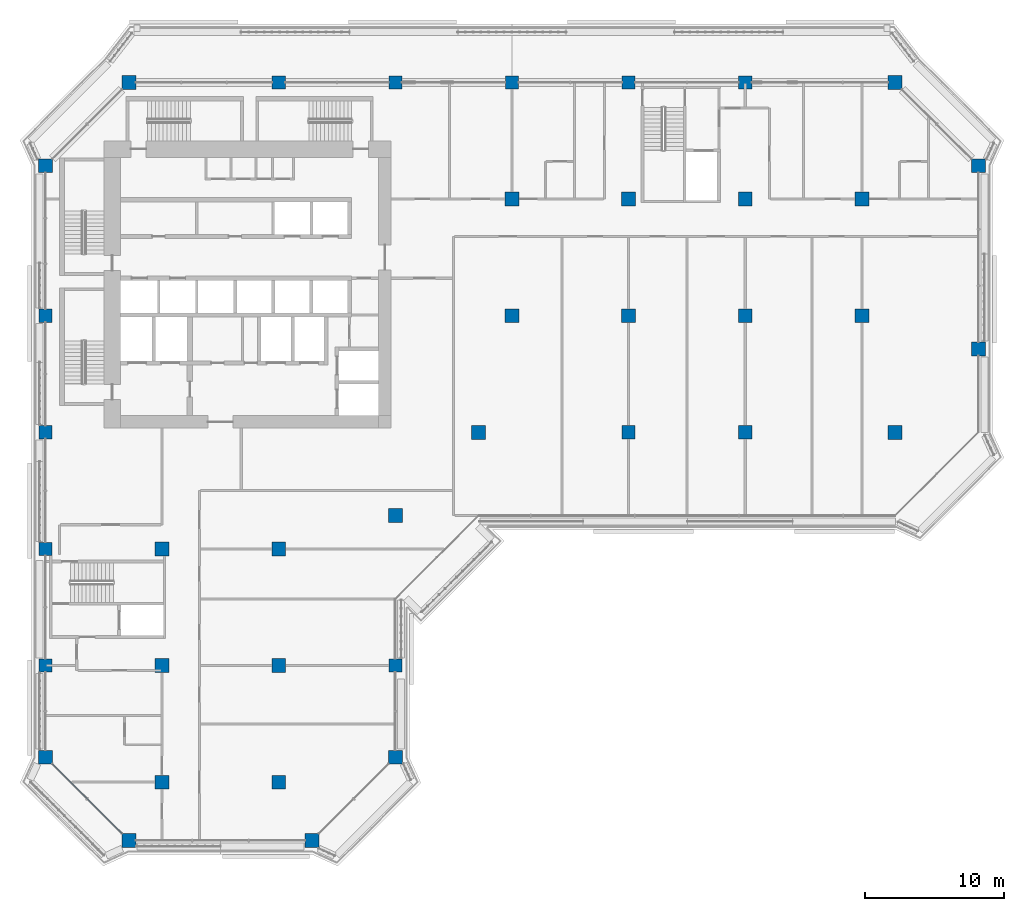
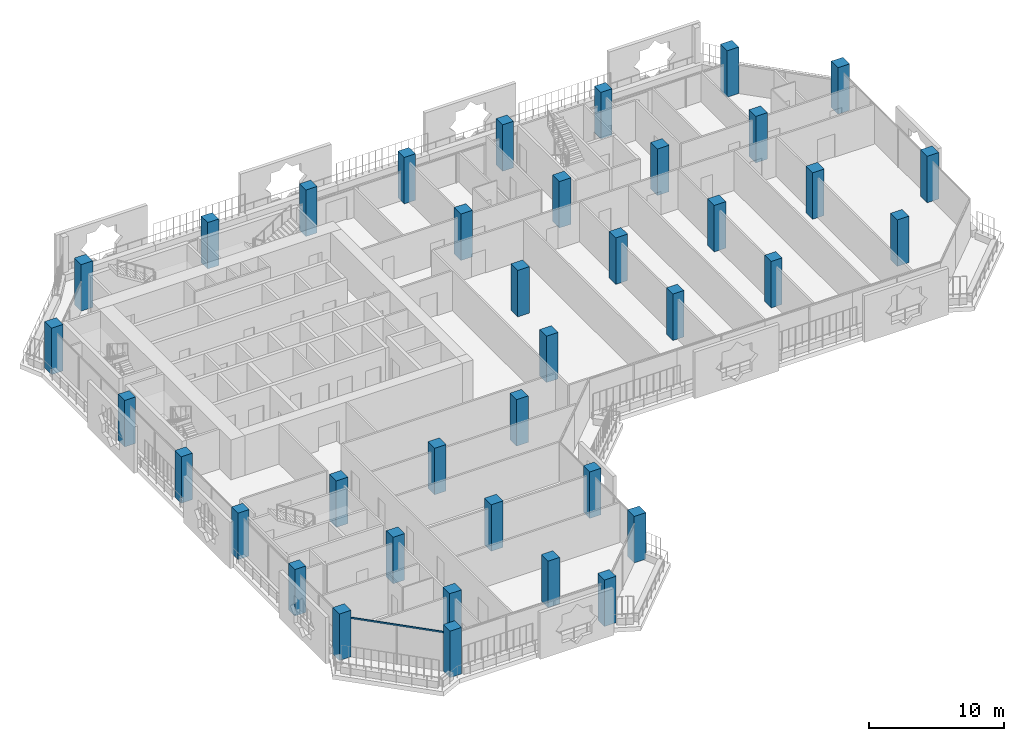
# One storey, part 1 of 21: 38 columns, 1 member, 1 element without a shape of its own.
"""IFC4 building model written with IfcOpenShell, lengths in metres."""

from ifc_helpers import new_model, si_unit, direction, frame, origin, origin_2d, place, context, subcontext, project, spatial, rectangle, extrude, material, layer, layer_set, material_profile, profile_set, type_object, element, aggregate, save


model = new_model("IFC4")

# Units and contexts
model_context = context("Model", 3, precision=1e-05, world=origin(), true_north=direction((0.0, 1.0)))
body_context = subcontext(model_context, "Body", "Model", "MODEL_VIEW")
ifc_project = project(units=[si_unit("LENGTHUNIT", "METRE"), si_unit("AREAUNIT", "SQUARE_METRE"), si_unit("VOLUMEUNIT", "CUBIC_METRE"), si_unit("PLANEANGLEUNIT", "RADIAN"), si_unit("MASSUNIT", "GRAM", prefix="KILO")], contexts=[model_context])

# Site, building, storey
site_placement = place(None, origin())
site = spatial("IfcSite", under=ifc_project, at=site_placement, CompositionType="ELEMENT")
building_placement = place(site_placement, origin())
building = spatial("IfcBuilding", under=site, at=building_placement, Name="Kawkab Arch Medical Tower", CompositionType="ELEMENT")
storey_placement = place(building_placement, frame((0.0, 0.0, 200.39990234375)))
storey = spatial("IfcBuildingStorey", under=building, at=storey_placement, Name="L46", CompositionType="ELEMENT", Elevation=200.39990234375)

# Columns
ifc_material_1 = material(Name="Concrete C50/60", Category="concrete")
ifc_material_profile_1 = material_profile(ifc_material_1, rectangle(XDim=1.0, YDim=1.0, at=origin_2d()), Name="RC 1000x1000")
ifc_profile_set_1 = profile_set([ifc_material_profile_1], Name="Concrete C50/60")
column_type_1 = type_object("IfcColumnType", Name="RC 1000x1000 column C50/60", PredefinedType="COLUMN", material=ifc_profile_set_1)
for number, where, z_axis, x_axis, name in (
    (1, (6.0, 0.0, 0.0), (0.0, 0.0, 1.0), (1.0, 0.0, 0.0), "Column RC 1000x1000"),
    (2, (61.199951171875, 0.0, 0.0), (0.0, 0.0, 1.0), (1.0, 0.0, 0.0), "Column RC 1000x1000"),
    (3, (0.0, -6.0, 0.0), (0.0, 0.0, 1.0), (1.0, 0.0, 0.0), "Column RC 1000x1000"),
    (4, (67.199951171875, -6.0, 0.0), (0.0, 0.0, 1.0), (1.0, 0.0, 0.0), "Column RC 1000x1000"),
    (5, (33.60009765625, -8.39990234375, 0.0), (0.0, 0.0, 1.0), (1.0, 0.0, 0.0), "Column RC 1000x1000"),
    (6, (42.0, -8.39990234375, 0.0), (0.0, 0.0, 1.0), (1.0, 0.0, 0.0), "Column RC 1000x1000"),
    (7, (50.39990234375, -8.39990234375, 0.0), (0.0, 0.0, 1.0), (1.0, 0.0, 0.0), "Column RC 1000x1000"),
    (8, (58.800048828125, -8.39990234375, 0.0), (0.0, 0.0, 1.0), (1.0, 0.0, 0.0), "Column RC 1000x1000"),
    (9, (33.60009765625, -16.800048828125, 0.0), (0.0, 0.0, 1.0), (1.0, 0.0, 0.0), "Column RC 1000x1000"),
    (10, (42.0, -16.800048828125, 0.0), (0.0, 0.0, 1.0), (1.0, 0.0, 0.0), "Column RC 1000x1000"),
    (11, (50.39990234375, -16.800048828125, 0.0), (0.0, 0.0, 1.0), (1.0, 0.0, 0.0), "Column RC 1000x1000"),
    (12, (58.800048828125, -16.800048828125, 0.0), (0.0, 0.0, 1.0), (1.0, 0.0, 0.0), "Column RC 1000x1000"),
    (13, (67.199951171875, -19.199951171875, 0.0), (0.0, 0.0, 1.0), (1.0, 0.0, 0.0), "Column RC 1000x1000"),
    (14, (31.199951171875, -25.199951171875, 0.0), (0.0, 0.0, 1.0), (1.0, 0.0, 0.0), "Column RC 1000x1000"),
    (15, (61.199951171875, -25.199951171875, 0.0), (0.0, 0.0, 1.0), (1.0, 0.0, 0.0), "Column RC 1000x1000"),
    (16, (25.199951171875, -31.199951171875, 0.0), (0.0, 0.0, 1.0), (1.0, 0.0, 0.0), "Column RC 1000x1000"),
    (17, (8.39990234375, -33.60009765625, 0.0), (0.0, 0.0, 1.0), (1.0, 0.0, 0.0), "Column RC 1000x1000"),
    (18, (16.800048828125, -33.60009765625, 0.0), (0.0, 0.0, 1.0), (1.0, 0.0, 0.0), "Column RC 1000x1000"),
    (19, (8.39990234375, -42.0, 0.0), (0.0, 0.0, 1.0), (1.0, 0.0, 0.0), "Column RC 1000x1000"),
    (20, (16.800048828125, -42.0, 0.0), (0.0, 0.0, 1.0), (1.0, 0.0, 0.0), "Column RC 1000x1000"),
    (21, (0.0, -48.60009765625, 0.0), (0.0, 0.0, 1.0), (1.0, 0.0, 0.0), "Column RC 1000x1000"),
    (22, (25.199951171875, -48.60009765625, 0.0), (0.0, 0.0, 1.0), (1.0, 0.0, 0.0), "Column RC 1000x1000"),
    (23, (8.39990234375, -50.39990234375, 0.0), (0.0, 0.0, 1.0), (1.0, 0.0, 0.0), "Column RC 1000x1000"),
    (24, (16.800048828125, -50.39990234375, 0.0), (0.0, 0.0, 1.0), (1.0, 0.0, 0.0), "Column RC 1000x1000"),
    (25, (6.0, -54.60009765625, 0.0), (0.0, 0.0, 1.0), (1.0, 0.0, 0.0), "Column RC 1000x1000"),
    (26, (19.199951171875, -54.60009765625, 0.0), (0.0, 0.0, 1.0), (1.0, 0.0, 0.0), "Column RC 1000x1000"),
):
    element("IfcColumn", number, at=place(storey_placement, frame(where, z_axis=z_axis, x_axis=x_axis)), inside=storey, type_object=column_type_1, Name=name, PredefinedType="COLUMN", context=body_context, shape_type="SweptSolid", body=[
        extrude(rectangle(XDim=1.0, YDim=1.0, at=origin_2d()), origin(), (0.0, 0.0, 1.0), 4.2001953125),
    ])
ifc_material_2 = material(Name="Concrete C50/60", Category="concrete")
ifc_material_profile_2 = material_profile(ifc_material_2, rectangle(XDim=0.949951171875, YDim=0.949951171875, at=origin_2d()), Name="RC 950x950")
ifc_profile_set_2 = profile_set([ifc_material_profile_2], Name="Concrete C50/60")
column_type_2 = type_object("IfcColumnType", Name="RC 950x950 column C50/60", PredefinedType="COLUMN", material=ifc_profile_set_2)
for number, where, z_axis, x_axis, name in (
    (27, (16.800048828125, 0.0, 0.0), (0.0, 0.0, 1.0), (1.0, 0.0, 0.0), "Column RC 950x950"),
    (28, (25.199951171875, 0.0, 0.0), (0.0, 0.0, 1.0), (1.0, 0.0, 0.0), "Column RC 950x950"),
    (29, (33.60009765625, 0.0, 0.0), (0.0, 0.0, 1.0), (1.0, 0.0, 0.0), "Column RC 950x950"),
    (30, (42.0, 0.0, 0.0), (0.0, 0.0, 1.0), (1.0, 0.0, 0.0), "Column RC 950x950"),
    (31, (50.39990234375, 0.0, 0.0), (0.0, 0.0, 1.0), (1.0, 0.0, 0.0), "Column RC 950x950"),
    (32, (0.0, -16.800048828125, 0.0), (0.0, 0.0, 1.0), (1.0, 0.0, 0.0), "Column RC 950x950"),
    (33, (0.0, -25.199951171875, 0.0), (0.0, 0.0, 1.0), (1.0, 0.0, 0.0), "Column RC 950x950"),
    (34, (42.0, -25.199951171875, 0.0), (0.0, 0.0, 1.0), (1.0, 0.0, 0.0), "Column RC 950x950"),
    (35, (50.39990234375, -25.199951171875, 0.0), (0.0, 0.0, 1.0), (1.0, 0.0, 0.0), "Column RC 950x950"),
    (36, (0.0, -33.60009765625, 0.0), (0.0, 0.0, 1.0), (1.0, 0.0, 0.0), "Column RC 950x950"),
    (37, (0.0, -42.0, 0.0), (0.0, 0.0, 1.0), (1.0, 0.0, 0.0), "Column RC 950x950"),
    (38, (25.199951171875, -42.0, 0.0), (0.0, 0.0, 1.0), (1.0, 0.0, 0.0), "Column RC 950x950"),
):
    element("IfcColumn", number, at=place(storey_placement, frame(where, z_axis=z_axis, x_axis=x_axis)), inside=storey, type_object=column_type_2, Name=name, PredefinedType="COLUMN", context=body_context, shape_type="SweptSolid", body=[
        extrude(rectangle(XDim=0.949951171875, YDim=0.949951171875, at=origin_2d()), origin(), (0.0, 0.0, 1.0), 4.2001953125),
    ])

# Curtain wall, member
ifc_material_3 = material(Name="Bronze anodised aluminium curtain wall frame", Category="aluminium")
ifc_layer = layer(ifc_material_3, 0.159912109375)
ifc_layer_set = layer_set([ifc_layer], Name="Bronze anodised aluminium curtain wall frame")
curtain_wall_type = type_object("IfcCurtainWallType", Name="CW2 chamfer curtain wall", PredefinedType="NOTDEFINED", material=ifc_layer_set)
curtain_wall_placement = place(storey_placement, origin())
curtain_wall = element("IfcCurtainWall", 39, at=curtain_wall_placement, inside=storey, type_object=curtain_wall_type, Name="CW2 Chamfer curtain wall R02", PredefinedType="NOTDEFINED")
ifc_material_4 = material(Name="Bronze anodised aluminium curtain wall frame", Category="aluminium")
ifc_material_profile_3 = material_profile(ifc_material_4, rectangle(XDim=0.06005859375, YDim=0.139892578125, at=origin_2d()), Name="AL 60x140")
ifc_profile_set_3 = profile_set([ifc_material_profile_3], Name="Bronze anodised aluminium curtain wall frame")
member_type = type_object("IfcMemberType", Name="CW2 transom 140 x 60", PredefinedType="USERDEFINED", material=ifc_profile_set_3)
member_placement = place(storey_placement, frame((0.5, -49.10009765625, 3.530029296875), z_axis=(0.707106781187, -0.707106781187, 0.0), x_axis=(0.707106781187, 0.707106781187, 0.0)))
member = element("IfcMember", 40, at=member_placement, type_object=member_type, Name="CW2 transom 1", ObjectType="TRANSOM", PredefinedType="USERDEFINED", context=body_context, shape_type="SweptSolid", body=[
    extrude(rectangle(XDim=0.06005859375, YDim=0.139892578125, at=origin_2d()), origin(), (0.0, 0.0, 1.0), 7.071044921875),
])
aggregate(curtain_wall, [member])

save(model, "model.ifc")
